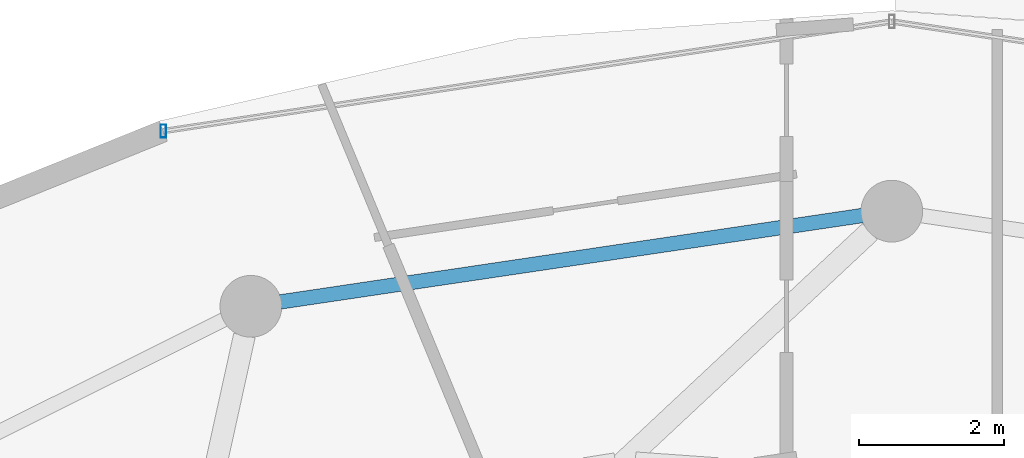
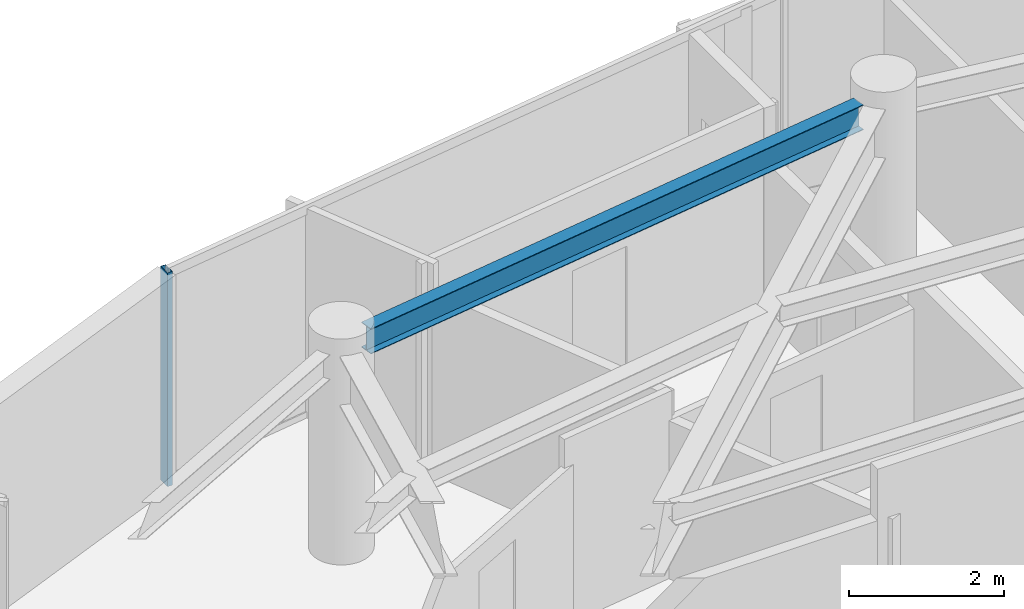
# One storey, part 19 of 32: 1 beam, 1 member, 1 element without a shape of its own.
"""IFC4 building model written with IfcOpenShell, lengths in metres."""

from ifc_helpers import new_model, si_unit, direction, frame, origin, origin_2d, place, context, subcontext, project, spatial, hollow_rectangle, i_section, extrude, material, material_profile, profile_set, type_object, element, aggregate, save


model = new_model("IFC4")

# Units and contexts
model_context = context("Model", 3, precision=1e-05, world=origin(), true_north=direction((0.0, 1.0)))
body_context = subcontext(model_context, "Body", "Model", "MODEL_VIEW")
ifc_project = project(units=[si_unit("LENGTHUNIT", "METRE"), si_unit("AREAUNIT", "SQUARE_METRE"), si_unit("VOLUMEUNIT", "CUBIC_METRE"), si_unit("PLANEANGLEUNIT", "RADIAN"), si_unit("MASSUNIT", "GRAM", prefix="KILO")], contexts=[model_context])

# Site, building, storey
site_placement = place(None, origin())
site = spatial("IfcSite", under=ifc_project, at=site_placement, CompositionType="ELEMENT")
building_placement = place(site_placement, origin())
building = spatial("IfcBuilding", under=site, at=building_placement, Name="Vorneva Point Tower", CompositionType="ELEMENT")
storey_placement = place(building_placement, frame((0.0, 0.0, 269.75)))
storey = spatial("IfcBuildingStorey", under=building, at=storey_placement, Name="L73", CompositionType="ELEMENT", Elevation=269.75)

# Beam
ifc_material_1 = material(Name="Steel S355", Category="steel")
ifc_material_profile_1 = material_profile(ifc_material_1, i_section(OverallWidth=0.198974609375, OverallDepth=0.39599609375, WebThickness=0.007080078125, FlangeThickness=0.010986328125, at=origin_2d()), Name="40B1")
ifc_profile_set_1 = profile_set([ifc_material_profile_1], Name="Steel S355")
beam_type = type_object("IfcBeamType", Name="BM-SPN-40B1", PredefinedType="SPANDREL", material=ifc_profile_set_1)
beam_placement = place(storey_placement, frame((37.594482421875, 43.139892578125, 3.092041015625), z_axis=(-0.989161657331, -0.146830567886, 0.0), x_axis=(0.146830567886, -0.989161657331, 0.0)))
element("IfcBeam", 1, at=beam_placement, inside=storey, type_object=beam_type, Name="L73 Perimeter Spandrel Ring Beam 05", PredefinedType="SPANDREL", context=body_context, shape_type="SweptSolid", body=[
    extrude(i_section(OverallWidth=0.198974609375, OverallDepth=0.39599609375, WebThickness=0.007080078125, FlangeThickness=0.010986328125, at=origin_2d()), origin(), (0.0, 0.0, 1.0), 8.097412109375),
])

# Curtain wall, member
ifc_material_2 = material(Name="Pale anodised aluminium", Category="aluminium")
curtain_wall_type = type_object("IfcCurtainWallType", Name="CW-RES-SYS", PredefinedType="NOTDEFINED", material=ifc_material_2)
curtain_wall_placement = place(storey_placement, origin())
curtain_wall = element("IfcCurtainWall", 2, at=curtain_wall_placement, inside=storey, type_object=curtain_wall_type, Name="L73 Unitised Curtain Wall CW-L73-R02", PredefinedType="NOTDEFINED")
ifc_material_profile_2 = material_profile(ifc_material_2, hollow_rectangle(XDim=0.074951171875, YDim=0.179931640625, WallThickness=0.00390625, at=origin_2d()), Name="AL-MUL 180x75x4")
ifc_profile_set_2 = profile_set([ifc_material_profile_2], Name="Pale anodised aluminium")
member_type = type_object("IfcMemberType", Name="CW-MUL-180", PredefinedType="MULLION", material=ifc_profile_set_2)
member_placement = place(storey_placement, frame((27.9736328125, 44.302001953125, -0.0400390625), z_axis=(0.0, 0.0, 1.0), x_axis=(1.0, 0.0, 0.0)))
member = element("IfcMember", 3, at=member_placement, type_object=member_type, Name="CW-L73-R02 Mullion 04", PredefinedType="MULLION", context=body_context, shape_type="SweptSolid", body=[
    extrude(hollow_rectangle(XDim=0.074951171875, YDim=0.179931640625, WallThickness=0.00390625, at=origin_2d()), origin(), (0.0, 0.0, 1.0), 3.360107421875),
])
aggregate(curtain_wall, [member])

save(model, "model.ifc")
